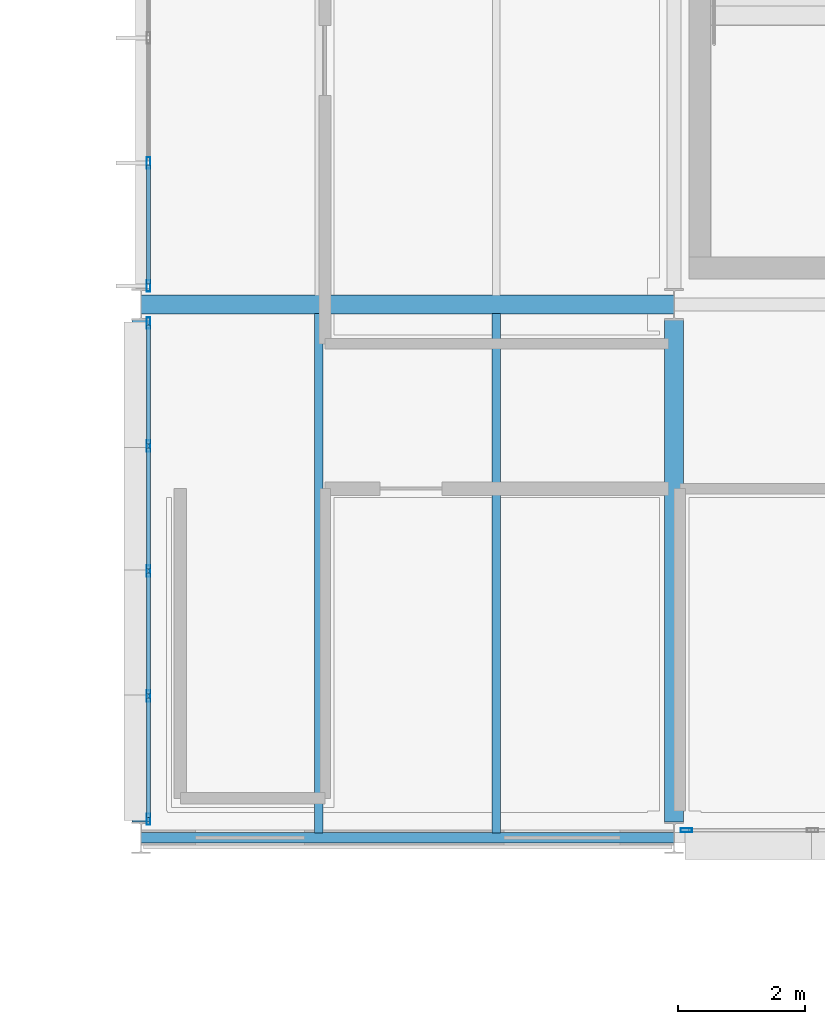
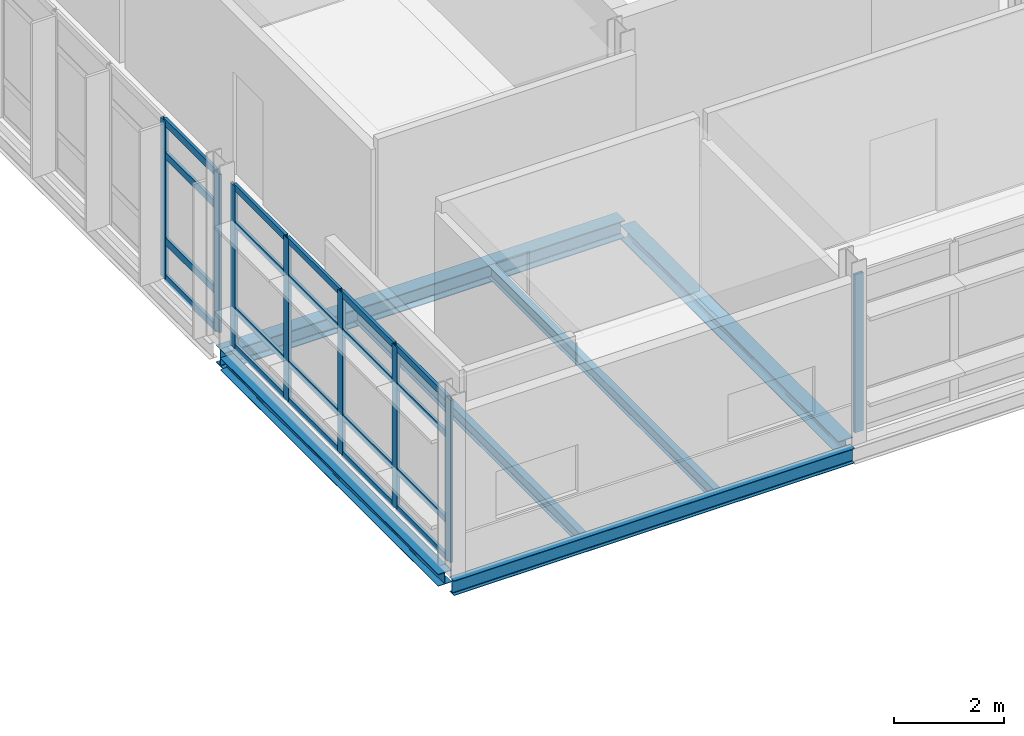
# One storey, part 89 of 131: 28 members, 6 beams, 3 elements without a shape of their own.
"""IFC4 building model written with IfcOpenShell, lengths in metres."""

import ifcopenshell
import ifcopenshell.guid

model = None  # the IFC model being written
_history = None  # IfcOwnerHistory: only IFC2X3 demands one
_inside = {}  # id of a spatial element -> (the spatial element, [elements in it])
_under = {}  # id of a project, library or spatial element -> (it, [spatial elements below it])
_declared = {}  # id of a project -> (the project, [libraries it declares])
_typed = {}  # id of a type object -> (the type object, [elements of that type])
_made_of = {}  # id of a material, layer set ... -> (it, [elements and type objects made of it])


def new_model(schema):
    """Start an empty IFC model of exactly this schema.

    Asked for "IFC4X3", IfcOpenShell would pick the latest addendum, in which some entities
    have other attributes; the version numbers below select the first issue.
    IFC2X3 requires an IfcOwnerHistory on every rooted entity: one is made here for all.
    """
    global model, _history
    if schema == "IFC4X3":
        model = ifcopenshell.file(schema_version=(4, 3, 0, 0))
    else:
        model = ifcopenshell.file(schema=schema)
    _inside.clear()
    _under.clear()
    _declared.clear()
    _typed.clear()
    _made_of.clear()
    _history = None
    if model.schema == "IFC2X3":
        org = make("IfcOrganization", Name="unknown")
        user = make(
            "IfcPersonAndOrganization",
            ThePerson=make("IfcPerson", FamilyName="unknown"),
            TheOrganization=org,
        )
        app = make(
            "IfcApplication",
            ApplicationDeveloper=org,
            Version="unknown",
            ApplicationFullName="unknown",
            ApplicationIdentifier="unknown",
        )
        _history = make(
            "IfcOwnerHistory",
            OwningUser=user,
            OwningApplication=app,
            ChangeAction="ADDED",
            CreationDate=0,
        )
    return model


def make(cls, **values):
    """One entity of the class cls with the attributes given. An attribute that is None is left unset."""
    return model.create_entity(
        cls, **{name: value for name, value in values.items() if value is not None}
    )


def rooted(cls, **values):
    """An entity with a GlobalId (a new one), such as an element, a storey or a relation."""
    return make(cls, GlobalId=ifcopenshell.guid.new(), OwnerHistory=_history, **values)


def si_unit(unit_type, name, prefix=None):
    """IfcSIUnit, for example si_unit("LENGTHUNIT", "METRE", prefix="MILLI")."""
    return make("IfcSIUnit", UnitType=unit_type, Prefix=prefix, Name=name)


def assignment(units):
    """IfcUnitAssignment: the units of a project."""
    return None if units is None else make("IfcUnitAssignment", Units=units)


def point(xyz):
    """IfcCartesianPoint."""
    return None if xyz is None else make("IfcCartesianPoint", Coordinates=xyz)


def direction(xyz):
    """IfcDirection."""
    return None if xyz is None else make("IfcDirection", DirectionRatios=xyz)


def frame(location, z_axis=None, x_axis=None):
    """IfcAxis2Placement3D, a coordinate frame: its origin and axes. An axis left out is left unset."""
    return make(
        "IfcAxis2Placement3D",
        Location=point(location),
        Axis=direction(z_axis),
        RefDirection=direction(x_axis),
    )


def frame_2d(location, x_axis=None):
    """IfcAxis2Placement2D, a coordinate frame in the plane: its origin and x axis."""
    return make(
        "IfcAxis2Placement2D", Location=point(location), RefDirection=direction(x_axis)
    )


def origin():
    """The frame at (0, 0, 0) with its axes left unset."""
    return frame((0.0, 0.0, 0.0))


def origin_2d():
    """The frame at (0, 0) in the plane with its x axis left unset."""
    return frame_2d((0.0, 0.0))


def place(relative_to, where):
    """IfcLocalPlacement: puts the frame where relative to a parent placement (None: the world)."""
    return make(
        "IfcLocalPlacement", PlacementRelTo=relative_to, RelativePlacement=where
    )


def context(
    kind, dimensions, precision=None, world=None, true_north=None, identifier=None
):
    """IfcGeometricRepresentationContext, for example the 3D "Model" context."""
    return make(
        "IfcGeometricRepresentationContext",
        ContextIdentifier=identifier,
        ContextType=kind,
        CoordinateSpaceDimension=dimensions,
        Precision=precision,
        WorldCoordinateSystem=world,
        TrueNorth=true_north,
    )


def subcontext(parent, identifier, kind, view, scale=None):
    """IfcGeometricRepresentationSubContext, for example "Body" below "Model"."""
    return make(
        "IfcGeometricRepresentationSubContext",
        ContextIdentifier=identifier,
        ContextType=kind,
        ParentContext=parent,
        TargetScale=scale,
        TargetView=view,
    )


def project(units=None, contexts=None):
    """IfcProject with its units and contexts."""
    return rooted(
        "IfcProject",
        Name="project",
        RepresentationContexts=contexts,
        UnitsInContext=assignment(units),
    )


def spatial(cls, under=None, at=None, **own):
    """A site, building, storey or space (cls), placed at a placement, below another one or the project."""
    s = rooted(cls, ObjectPlacement=at, **own)
    if under is not None:
        _under.setdefault(under.id(), (under, []))[1].append(s)
    return s


def profile(cls, at=None, kind="AREA", **sizes):
    """A parametric profile (cls). Its sizes go by their IFC names, for example OverallWidth=200.0."""
    return make(cls, ProfileType=kind, Position=at, **sizes)


def hollow_rectangle(**sizes):
    """IfcRectangleHollowProfileDef."""
    return profile("IfcRectangleHollowProfileDef", **sizes)


def i_section(**sizes):
    """IfcIShapeProfileDef."""
    return profile("IfcIShapeProfileDef", **sizes)


def extrude(swept, where, along, depth):
    """IfcExtrudedAreaSolid: the profile swept, set in the frame where, extruded along a direction by depth."""
    return make(
        "IfcExtrudedAreaSolid",
        SweptArea=swept,
        Position=where,
        ExtrudedDirection=direction(along),
        Depth=depth,
    )


def shape(context_of_items, identifier, shape_type, items):
    """IfcShapeRepresentation: the items that make up one representation, for example the "Body"."""
    return make(
        "IfcShapeRepresentation",
        ContextOfItems=context_of_items,
        RepresentationIdentifier=identifier,
        RepresentationType=shape_type,
        Items=items,
    )


def material(Name=None, Category=None):
    """IfcMaterial."""
    return make("IfcMaterial", Name=Name, Category=Category)


def material_profile(
    of_material, cross_section, Name=None, Category=None, Priority=None
):
    """IfcMaterialProfile: a cross section and its material."""
    return make(
        "IfcMaterialProfile",
        Name=Name,
        Material=of_material,
        Profile=cross_section,
        Priority=Priority,
        Category=Category,
    )


def profile_set(profiles, Name=None, composite=None):
    """IfcMaterialProfileSet."""
    return make(
        "IfcMaterialProfileSet",
        Name=Name,
        MaterialProfiles=profiles,
        CompositeProfile=composite,
    )


def made_of(thing, what):
    """Note that an element or type object is made of a material, layer set ...; save() writes the relation."""
    if what is not None:
        _made_of.setdefault(what.id(), (what, []))[1].append(thing)
    return thing


def type_object(cls, material=None, **own):
    """A type object (cls), such as IfcWallType, which elements share."""
    return made_of(rooted(cls, **own), material)


def element(
    cls,
    number,
    at=None,
    inside=None,
    cuts=None,
    type_object=None,
    material=None,
    context=None,
    identifier="Body",
    shape_type=None,
    held_by="IfcProductDefinitionShape",
    body=None,
    shapes=None,
    **own,
):
    """One element of the class cls, such as IfcWall. Its Tag is "e" and its number.

    at: its placement. inside: the storey or other place that contains it. cuts: it is an
    opening in that element (IfcRelVoidsElement). A single representation is given by context,
    identifier, shape_type and body (its items); several are given by shapes. held_by: the class
    of the entity that holds the representations. save() writes the other relations.
    """
    e = rooted(cls, Tag="e%d" % number, ObjectPlacement=at, **own)
    if body is not None:
        shapes = [shape(context, identifier, shape_type, body)]
    if shapes is not None:
        e.Representation = make(held_by, Representations=shapes)
    if inside is not None:
        _inside.setdefault(inside.id(), (inside, []))[1].append(e)
    if cuts is not None:
        rooted(
            "IfcRelVoidsElement", RelatingBuildingElement=cuts, RelatedOpeningElement=e
        )
    if type_object is not None:
        _typed.setdefault(type_object.id(), (type_object, []))[1].append(e)
    return made_of(e, material)


def aggregate(whole, parts):
    """IfcRelAggregates: a whole, such as a stair, and the parts it consists of."""
    return rooted("IfcRelAggregates", RelatingObject=whole, RelatedObjects=parts)


def save(model, path):
    """Write the relations noted so far, then the file.

    IfcRelAggregates (storeys below a building ...), IfcRelContainedInSpatialStructure (elements
    in a storey), IfcRelDefinesByType, IfcRelAssociatesMaterial and IfcRelDeclares: one each for
    every whole, place, type object, material and project.
    """
    for whole, parts in _under.values():
        aggregate(whole, parts)
    for where, things in _inside.values():
        rooted(
            "IfcRelContainedInSpatialStructure",
            RelatedElements=things,
            RelatingStructure=where,
        )
    for kind, things in _typed.values():
        rooted("IfcRelDefinesByType", RelatedObjects=things, RelatingType=kind)
    for what, things in _made_of.values():
        rooted("IfcRelAssociatesMaterial", RelatedObjects=things, RelatingMaterial=what)
    for by, libraries in _declared.values():
        rooted("IfcRelDeclares", RelatingContext=by, RelatedDefinitions=libraries)
    model.write(path)


model = new_model("IFC4")

# Units and contexts
model_context = context("Model", 3, precision=1e-05, world=origin(), true_north=direction((0.0, 1.0)))
body_context = subcontext(model_context, "Body", "Model", "MODEL_VIEW")
ifc_project = project(units=[si_unit("LENGTHUNIT", "METRE"), si_unit("AREAUNIT", "SQUARE_METRE"), si_unit("VOLUMEUNIT", "CUBIC_METRE"), si_unit("PLANEANGLEUNIT", "RADIAN"), si_unit("MASSUNIT", "GRAM", prefix="KILO")], contexts=[model_context])

# Site, building, storey
site_placement = place(None, origin())
site = spatial("IfcSite", under=ifc_project, at=site_placement, CompositionType="ELEMENT")
building_placement = place(site_placement, origin())
building = spatial("IfcBuilding", under=site, at=building_placement, Name="Mersafa Astral City Hall", CompositionType="ELEMENT")
storey_placement = place(building_placement, frame((0.0, 0.0, 13.949951171875)))
storey = spatial("IfcBuildingStorey", under=building, at=storey_placement, Name="L03", CompositionType="ELEMENT", Elevation=13.949951171875)

# Curtain wall, members
ifc_material_1 = material(Name="Anodised bronze aluminium framing", Category="aluminium")
curtain_wall_type_1 = type_object("IfcCurtainWallType", Name="ENV-CW-5", PredefinedType="USERDEFINED", material=ifc_material_1)
curtain_wall_1_placement = place(storey_placement, origin())
curtain_wall_1 = element("IfcCurtainWall", 1, at=curtain_wall_1_placement, inside=storey, type_object=curtain_wall_type_1, Name="L03 Unitised solar curtain wall 160", ObjectType="UNITISED CURTAIN WALL", PredefinedType="USERDEFINED")
ifc_material_profile_1 = material_profile(ifc_material_1, hollow_rectangle(XDim=0.06005859375, YDim=0.179931640625, WallThickness=0.00390625, at=origin_2d()), Name="RHS 60x180x4")
ifc_profile_set_1 = profile_set([ifc_material_profile_1], Name="Anodised bronze aluminium framing")
member_type_1 = type_object("IfcMemberType", Name="ENV-CW-MUL-1", PredefinedType="MULLION", material=ifc_profile_set_1)
member_1_placement = place(storey_placement, frame((142.919921875, 111.430908203125, -0.001953125), z_axis=(0.0, 0.0, 1.0), x_axis=(1.0, 0.0, 0.0)))
member_1 = element("IfcMember", 2, at=member_1_placement, type_object=member_type_1, Name="CW-5 mullion 4", PredefinedType="MULLION", context=body_context, shape_type="SweptSolid", body=[
    extrude(hollow_rectangle(XDim=0.06005859375, YDim=0.179931640625, WallThickness=0.00390625, at=origin_2d()), origin(), (0.0, 0.0, 1.0), 3.50390625),
])
member_2_placement = place(storey_placement, frame((142.919921875, 109.491943359375, -0.001953125), z_axis=(0.0, 0.0, 1.0), x_axis=(1.0, 0.0, 0.0)))
member_2 = element("IfcMember", 3, at=member_2_placement, type_object=member_type_1, Name="CW-5 mullion 5", PredefinedType="MULLION", context=body_context, shape_type="SweptSolid", body=[
    extrude(hollow_rectangle(XDim=0.06005859375, YDim=0.179931640625, WallThickness=0.00390625, at=origin_2d()), origin(), (0.0, 0.0, 1.0), 3.50390625),
])

curtain_wall_type_2 = type_object("IfcCurtainWallType", Name="ENV-CW-6", PredefinedType="USERDEFINED", material=ifc_material_1)
curtain_wall_2_placement = place(storey_placement, origin())
curtain_wall_2 = element("IfcCurtainWall", 4, at=curtain_wall_2_placement, inside=storey, type_object=curtain_wall_type_2, Name="L03 Unitised solar curtain wall 161", ObjectType="UNITISED CURTAIN WALL", PredefinedType="USERDEFINED")
member_3_placement = place(storey_placement, frame((142.919921875, 108.907958984375, -0.001953125), z_axis=(0.0, 0.0, 1.0), x_axis=(1.0, 0.0, 0.0)))
member_3 = element("IfcMember", 5, at=member_3_placement, type_object=member_type_1, Name="CW-6 mullion 1", PredefinedType="MULLION", context=body_context, shape_type="SweptSolid", body=[
    extrude(hollow_rectangle(XDim=0.06005859375, YDim=0.179931640625, WallThickness=0.00390625, at=origin_2d()), origin(), (0.0, 0.0, 1.0), 3.593994140625),
])
member_4_placement = place(storey_placement, frame((142.919921875, 106.968994140625, -0.001953125), z_axis=(0.0, 0.0, 1.0), x_axis=(1.0, 0.0, 0.0)))
member_4 = element("IfcMember", 6, at=member_4_placement, type_object=member_type_1, Name="CW-6 mullion 2", PredefinedType="MULLION", context=body_context, shape_type="SweptSolid", body=[
    extrude(hollow_rectangle(XDim=0.06005859375, YDim=0.179931640625, WallThickness=0.00390625, at=origin_2d()), origin(), (0.0, 0.0, 1.0), 3.593994140625),
])
member_5_placement = place(storey_placement, frame((142.919921875, 105.0, -0.001953125), z_axis=(0.0, 0.0, 1.0), x_axis=(1.0, 0.0, 0.0)))
member_5 = element("IfcMember", 7, at=member_5_placement, type_object=member_type_1, Name="CW-6 mullion 3", PredefinedType="MULLION", context=body_context, shape_type="SweptSolid", body=[
    extrude(hollow_rectangle(XDim=0.06005859375, YDim=0.179931640625, WallThickness=0.00390625, at=origin_2d()), origin(), (0.0, 0.0, 1.0), 3.593994140625),
])
member_6_placement = place(storey_placement, frame((142.919921875, 103.031005859375, -0.001953125), z_axis=(0.0, 0.0, 1.0), x_axis=(1.0, 0.0, 0.0)))
member_6 = element("IfcMember", 8, at=member_6_placement, type_object=member_type_1, Name="CW-6 mullion 4", PredefinedType="MULLION", context=body_context, shape_type="SweptSolid", body=[
    extrude(hollow_rectangle(XDim=0.06005859375, YDim=0.179931640625, WallThickness=0.00390625, at=origin_2d()), origin(), (0.0, 0.0, 1.0), 3.593994140625),
])
member_7_placement = place(storey_placement, frame((142.919921875, 101.092041015625, -0.001953125), z_axis=(0.0, 0.0, 1.0), x_axis=(1.0, 0.0, 0.0)))
member_7 = element("IfcMember", 9, at=member_7_placement, type_object=member_type_1, Name="CW-6 mullion 5", PredefinedType="MULLION", context=body_context, shape_type="SweptSolid", body=[
    extrude(hollow_rectangle(XDim=0.06005859375, YDim=0.179931640625, WallThickness=0.00390625, at=origin_2d()), origin(), (0.0, 0.0, 1.0), 3.593994140625),
])

# Curtain wall, member
curtain_wall_type_3 = type_object("IfcCurtainWallType", Name="ENV-CW-1", PredefinedType="USERDEFINED", material=ifc_material_1)
curtain_wall_3_placement = place(storey_placement, origin())
curtain_wall_3 = element("IfcCurtainWall", 10, at=curtain_wall_3_placement, inside=storey, type_object=curtain_wall_type_3, Name="L03 Unitised solar curtain wall 162", ObjectType="UNITISED CURTAIN WALL", PredefinedType="USERDEFINED")
member_8_placement = place(storey_placement, frame((151.39208984375, 100.919921875, -0.001953125), z_axis=(0.0, 0.0, 1.0), x_axis=(0.0, 1.0, 0.0)))
member_8 = element("IfcMember", 11, at=member_8_placement, type_object=member_type_1, Name="CW-1 mullion 1", PredefinedType="MULLION", context=body_context, shape_type="SweptSolid", body=[
    extrude(hollow_rectangle(XDim=0.06005859375, YDim=0.179931640625, WallThickness=0.00390625, at=origin_2d()), origin(), (0.0, 0.0, 1.0), 3.50390625),
])
aggregate(curtain_wall_3, [member_8])

# Member
ifc_material_profile_2 = material_profile(ifc_material_1, hollow_rectangle(XDim=0.06005859375, YDim=0.139892578125, WallThickness=0.00390625, at=origin_2d()), Name="RHS 60x140x4")
ifc_profile_set_2 = profile_set([ifc_material_profile_2], Name="Anodised bronze aluminium framing")
member_type_2 = type_object("IfcMemberType", Name="ENV-CW-TRN-1", PredefinedType="USERDEFINED", material=ifc_profile_set_2)
member_9_placement = place(storey_placement, frame((142.919921875, 108.8779296875, 0.028076171875), z_axis=(0.0, -1.0, 0.0), x_axis=(1.0, 0.0, 0.0)))
member_9 = element("IfcMember", 12, at=member_9_placement, type_object=member_type_2, Name="CW-6 transom 1.1", ObjectType="TRANSOM", PredefinedType="USERDEFINED", context=body_context, shape_type="SweptSolid", body=[
    extrude(hollow_rectangle(XDim=0.06005859375, YDim=0.139892578125, WallThickness=0.00390625, at=origin_2d()), origin(), (0.0, 0.0, 1.0), 1.87890625),
])

member_10_placement = place(storey_placement, frame((142.919921875, 108.8779296875, 0.85009765625), z_axis=(0.0, -1.0, 0.0), x_axis=(1.0, 0.0, 0.0)))
member_10 = element("IfcMember", 13, at=member_10_placement, type_object=member_type_2, Name="CW-6 transom 1.2", ObjectType="TRANSOM", PredefinedType="USERDEFINED", context=body_context, shape_type="SweptSolid", body=[
    extrude(hollow_rectangle(XDim=0.06005859375, YDim=0.139892578125, WallThickness=0.00390625, at=origin_2d()), origin(), (0.0, 0.0, 1.0), 1.87890625),
])

member_11_placement = place(storey_placement, frame((142.919921875, 108.8779296875, 2.75), z_axis=(0.0, -1.0, 0.0), x_axis=(1.0, 0.0, 0.0)))
member_11 = element("IfcMember", 14, at=member_11_placement, type_object=member_type_2, Name="CW-6 transom 1.3", ObjectType="TRANSOM", PredefinedType="USERDEFINED", context=body_context, shape_type="SweptSolid", body=[
    extrude(hollow_rectangle(XDim=0.06005859375, YDim=0.139892578125, WallThickness=0.00390625, at=origin_2d()), origin(), (0.0, 0.0, 1.0), 1.87890625),
])

member_12_placement = place(storey_placement, frame((142.919921875, 108.8779296875, 3.56201171875), z_axis=(0.0, -1.0, 0.0), x_axis=(1.0, 0.0, 0.0)))
member_12 = element("IfcMember", 15, at=member_12_placement, type_object=member_type_2, Name="CW-6 transom 1.4", ObjectType="TRANSOM", PredefinedType="USERDEFINED", context=body_context, shape_type="SweptSolid", body=[
    extrude(hollow_rectangle(XDim=0.06005859375, YDim=0.139892578125, WallThickness=0.00390625, at=origin_2d()), origin(), (0.0, 0.0, 1.0), 1.87890625),
])

member_13_placement = place(storey_placement, frame((142.919921875, 106.93896484375, 0.028076171875), z_axis=(0.0, -1.0, 0.0), x_axis=(1.0, 0.0, 0.0)))
member_13 = element("IfcMember", 16, at=member_13_placement, type_object=member_type_2, Name="CW-6 transom 2.1", ObjectType="TRANSOM", PredefinedType="USERDEFINED", context=body_context, shape_type="SweptSolid", body=[
    extrude(hollow_rectangle(XDim=0.06005859375, YDim=0.139892578125, WallThickness=0.00390625, at=origin_2d()), origin(), (0.0, 0.0, 1.0), 1.908935546875),
])

member_14_placement = place(storey_placement, frame((142.919921875, 106.93896484375, 0.85009765625), z_axis=(0.0, -1.0, 0.0), x_axis=(1.0, 0.0, 0.0)))
member_14 = element("IfcMember", 17, at=member_14_placement, type_object=member_type_2, Name="CW-6 transom 2.2", ObjectType="TRANSOM", PredefinedType="USERDEFINED", context=body_context, shape_type="SweptSolid", body=[
    extrude(hollow_rectangle(XDim=0.06005859375, YDim=0.139892578125, WallThickness=0.00390625, at=origin_2d()), origin(), (0.0, 0.0, 1.0), 1.908935546875),
])

member_15_placement = place(storey_placement, frame((142.919921875, 106.93896484375, 2.75), z_axis=(0.0, -1.0, 0.0), x_axis=(1.0, 0.0, 0.0)))
member_15 = element("IfcMember", 18, at=member_15_placement, type_object=member_type_2, Name="CW-6 transom 2.3", ObjectType="TRANSOM", PredefinedType="USERDEFINED", context=body_context, shape_type="SweptSolid", body=[
    extrude(hollow_rectangle(XDim=0.06005859375, YDim=0.139892578125, WallThickness=0.00390625, at=origin_2d()), origin(), (0.0, 0.0, 1.0), 1.908935546875),
])

member_16_placement = place(storey_placement, frame((142.919921875, 106.93896484375, 3.56201171875), z_axis=(0.0, -1.0, 0.0), x_axis=(1.0, 0.0, 0.0)))
member_16 = element("IfcMember", 19, at=member_16_placement, type_object=member_type_2, Name="CW-6 transom 2.4", ObjectType="TRANSOM", PredefinedType="USERDEFINED", context=body_context, shape_type="SweptSolid", body=[
    extrude(hollow_rectangle(XDim=0.06005859375, YDim=0.139892578125, WallThickness=0.00390625, at=origin_2d()), origin(), (0.0, 0.0, 1.0), 1.908935546875),
])

member_17_placement = place(storey_placement, frame((142.919921875, 104.969970703125, 0.028076171875), z_axis=(0.0, -1.0, 0.0), x_axis=(1.0, 0.0, 0.0)))
member_17 = element("IfcMember", 20, at=member_17_placement, type_object=member_type_2, Name="CW-6 transom 3.1", ObjectType="TRANSOM", PredefinedType="USERDEFINED", context=body_context, shape_type="SweptSolid", body=[
    extrude(hollow_rectangle(XDim=0.06005859375, YDim=0.139892578125, WallThickness=0.00390625, at=origin_2d()), origin(), (0.0, 0.0, 1.0), 1.908935546875),
])

member_18_placement = place(storey_placement, frame((142.919921875, 104.969970703125, 0.85009765625), z_axis=(0.0, -1.0, 0.0), x_axis=(1.0, 0.0, 0.0)))
member_18 = element("IfcMember", 21, at=member_18_placement, type_object=member_type_2, Name="CW-6 transom 3.2", ObjectType="TRANSOM", PredefinedType="USERDEFINED", context=body_context, shape_type="SweptSolid", body=[
    extrude(hollow_rectangle(XDim=0.06005859375, YDim=0.139892578125, WallThickness=0.00390625, at=origin_2d()), origin(), (0.0, 0.0, 1.0), 1.908935546875),
])

member_19_placement = place(storey_placement, frame((142.919921875, 104.969970703125, 2.75), z_axis=(0.0, -1.0, 0.0), x_axis=(1.0, 0.0, 0.0)))
member_19 = element("IfcMember", 22, at=member_19_placement, type_object=member_type_2, Name="CW-6 transom 3.3", ObjectType="TRANSOM", PredefinedType="USERDEFINED", context=body_context, shape_type="SweptSolid", body=[
    extrude(hollow_rectangle(XDim=0.06005859375, YDim=0.139892578125, WallThickness=0.00390625, at=origin_2d()), origin(), (0.0, 0.0, 1.0), 1.908935546875),
])

member_20_placement = place(storey_placement, frame((142.919921875, 104.969970703125, 3.56201171875), z_axis=(0.0, -1.0, 0.0), x_axis=(1.0, 0.0, 0.0)))
member_20 = element("IfcMember", 23, at=member_20_placement, type_object=member_type_2, Name="CW-6 transom 3.4", ObjectType="TRANSOM", PredefinedType="USERDEFINED", context=body_context, shape_type="SweptSolid", body=[
    extrude(hollow_rectangle(XDim=0.06005859375, YDim=0.139892578125, WallThickness=0.00390625, at=origin_2d()), origin(), (0.0, 0.0, 1.0), 1.908935546875),
])

member_21_placement = place(storey_placement, frame((142.919921875, 103.0009765625, 0.028076171875), z_axis=(0.0, -1.0, 0.0), x_axis=(1.0, 0.0, 0.0)))
member_21 = element("IfcMember", 24, at=member_21_placement, type_object=member_type_2, Name="CW-6 transom 4.1", ObjectType="TRANSOM", PredefinedType="USERDEFINED", context=body_context, shape_type="SweptSolid", body=[
    extrude(hollow_rectangle(XDim=0.06005859375, YDim=0.139892578125, WallThickness=0.00390625, at=origin_2d()), origin(), (0.0, 0.0, 1.0), 1.87890625),
])

member_22_placement = place(storey_placement, frame((142.919921875, 103.0009765625, 0.85009765625), z_axis=(0.0, -1.0, 0.0), x_axis=(1.0, 0.0, 0.0)))
member_22 = element("IfcMember", 25, at=member_22_placement, type_object=member_type_2, Name="CW-6 transom 4.2", ObjectType="TRANSOM", PredefinedType="USERDEFINED", context=body_context, shape_type="SweptSolid", body=[
    extrude(hollow_rectangle(XDim=0.06005859375, YDim=0.139892578125, WallThickness=0.00390625, at=origin_2d()), origin(), (0.0, 0.0, 1.0), 1.87890625),
])

member_23_placement = place(storey_placement, frame((142.919921875, 103.0009765625, 2.75), z_axis=(0.0, -1.0, 0.0), x_axis=(1.0, 0.0, 0.0)))
member_23 = element("IfcMember", 26, at=member_23_placement, type_object=member_type_2, Name="CW-6 transom 4.3", ObjectType="TRANSOM", PredefinedType="USERDEFINED", context=body_context, shape_type="SweptSolid", body=[
    extrude(hollow_rectangle(XDim=0.06005859375, YDim=0.139892578125, WallThickness=0.00390625, at=origin_2d()), origin(), (0.0, 0.0, 1.0), 1.87890625),
])

member_24_placement = place(storey_placement, frame((142.919921875, 103.0009765625, 3.56201171875), z_axis=(0.0, -1.0, 0.0), x_axis=(1.0, 0.0, 0.0)))
member_24 = element("IfcMember", 27, at=member_24_placement, type_object=member_type_2, Name="CW-6 transom 4.4", ObjectType="TRANSOM", PredefinedType="USERDEFINED", context=body_context, shape_type="SweptSolid", body=[
    extrude(hollow_rectangle(XDim=0.06005859375, YDim=0.139892578125, WallThickness=0.00390625, at=origin_2d()), origin(), (0.0, 0.0, 1.0), 1.87890625),
])

aggregate(curtain_wall_2, [member_3, member_4, member_5, member_6, member_7, member_9, member_10, member_11, member_12, member_13, member_14, member_15, member_16, member_17, member_18, member_19, member_20, member_21, member_22, member_23, member_24])

ifc_material_profile_3 = material_profile(ifc_material_1, hollow_rectangle(XDim=0.06005859375, YDim=0.159912109375, WallThickness=0.00390625, at=origin_2d()), Name="RHS 60x160x4")
ifc_profile_set_3 = profile_set([ifc_material_profile_3], Name="Anodised bronze aluminium framing")
member_type_3 = type_object("IfcMemberType", Name="ENV-CW-TRN-2", PredefinedType="USERDEFINED", material=ifc_profile_set_3)
member_25_placement = place(storey_placement, frame((142.919921875, 111.40087890625, 0.028076171875), z_axis=(0.0, -1.0, 0.0), x_axis=(1.0, 0.0, 0.0)))
member_25 = element("IfcMember", 28, at=member_25_placement, type_object=member_type_3, Name="CW-5 transom 4.1", ObjectType="TRANSOM", PredefinedType="USERDEFINED", context=body_context, shape_type="SweptSolid", body=[
    extrude(hollow_rectangle(XDim=0.06005859375, YDim=0.159912109375, WallThickness=0.00390625, at=origin_2d()), origin(), (0.0, 0.0, 1.0), 1.87890625),
])

member_26_placement = place(storey_placement, frame((142.919921875, 111.40087890625, 0.85009765625), z_axis=(0.0, -1.0, 0.0), x_axis=(1.0, 0.0, 0.0)))
member_26 = element("IfcMember", 29, at=member_26_placement, type_object=member_type_3, Name="CW-5 transom 4.2", ObjectType="TRANSOM", PredefinedType="USERDEFINED", context=body_context, shape_type="SweptSolid", body=[
    extrude(hollow_rectangle(XDim=0.06005859375, YDim=0.159912109375, WallThickness=0.00390625, at=origin_2d()), origin(), (0.0, 0.0, 1.0), 1.87890625),
])

member_27_placement = place(storey_placement, frame((142.919921875, 111.40087890625, 2.75), z_axis=(0.0, -1.0, 0.0), x_axis=(1.0, 0.0, 0.0)))
member_27 = element("IfcMember", 30, at=member_27_placement, type_object=member_type_3, Name="CW-5 transom 4.3", ObjectType="TRANSOM", PredefinedType="USERDEFINED", context=body_context, shape_type="SweptSolid", body=[
    extrude(hollow_rectangle(XDim=0.06005859375, YDim=0.159912109375, WallThickness=0.00390625, at=origin_2d()), origin(), (0.0, 0.0, 1.0), 1.87890625),
])

member_28_placement = place(storey_placement, frame((142.919921875, 111.40087890625, 3.47216796875), z_axis=(0.0, -1.0, 0.0), x_axis=(1.0, 0.0, 0.0)))
member_28 = element("IfcMember", 31, at=member_28_placement, type_object=member_type_3, Name="CW-5 transom 4.4", ObjectType="TRANSOM", PredefinedType="USERDEFINED", context=body_context, shape_type="SweptSolid", body=[
    extrude(hollow_rectangle(XDim=0.06005859375, YDim=0.159912109375, WallThickness=0.00390625, at=origin_2d()), origin(), (0.0, 0.0, 1.0), 1.87890625),
])

aggregate(curtain_wall_1, [member_1, member_2, member_25, member_26, member_27, member_28])

# Beams
ifc_material_2 = material(Name="Steel S355", Category="steel")
ifc_material_profile_4 = material_profile(ifc_material_2, i_section(OverallWidth=0.300048828125, OverallDepth=0.31005859375, WebThickness=0.009033203125, FlangeThickness=0.015380859375, FilletRadius=0.027099609375, at=origin_2d()), Name="HEA 320")
ifc_profile_set_4 = profile_set([ifc_material_profile_4], Name="Steel S355")
beam_type_1 = type_object("IfcBeamType", Name="STR-BM-HEA320", PredefinedType="BEAM", material=ifc_profile_set_4)
beam_1_placement = place(storey_placement, frame((151.199951171875, 101.044921875, -0.35498046875), z_axis=(0.0, 1.0, 0.0), x_axis=(-1.0, 0.0, 0.0)))
element("IfcBeam", 32, at=beam_1_placement, inside=storey, type_object=beam_type_1, Name="L03 Primary girder Y 18-12", PredefinedType="BEAM", context=body_context, shape_type="SweptSolid", body=[
    extrude(i_section(OverallWidth=0.300048828125, OverallDepth=0.31005859375, WebThickness=0.009033203125, FlangeThickness=0.015380859375, FilletRadius=0.027099609375, at=origin_2d()), origin(), (0.0, 0.0, 1.0), 7.91015625),
])
ifc_material_profile_5 = material_profile(ifc_material_2, i_section(OverallWidth=0.300048828125, OverallDepth=0.389892578125, WebThickness=0.010986328125, FlangeThickness=0.01904296875, FilletRadius=0.027099609375, at=origin_2d()), Name="HEA 400")
ifc_profile_set_5 = profile_set([ifc_material_profile_5], Name="Steel S355")
beam_type_2 = type_object("IfcBeamType", Name="STR-BM-HEA400", PredefinedType="BEAM", material=ifc_profile_set_5)
beam_2_placement = place(storey_placement, frame((142.802978515625, 109.199951171875, -0.39501953125), z_axis=(1.0, 0.0, 0.0), x_axis=(0.0, 1.0, 0.0)))
element("IfcBeam", 33, at=beam_2_placement, inside=storey, type_object=beam_type_2, Name="L03 Primary girder X 17-13", PredefinedType="BEAM", context=body_context, shape_type="SweptSolid", body=[
    extrude(i_section(OverallWidth=0.300048828125, OverallDepth=0.389892578125, WebThickness=0.010986328125, FlangeThickness=0.01904296875, FilletRadius=0.027099609375, at=origin_2d()), origin(), (0.0, 0.0, 1.0), 8.39404296875),
])
ifc_material_profile_6 = material_profile(ifc_material_2, i_section(OverallWidth=0.135009765625, OverallDepth=0.27001953125, WebThickness=0.006591796875, FlangeThickness=0.01025390625, FilletRadius=0.014892578125, at=origin_2d()), Name="IPE 270")
ifc_profile_set_6 = profile_set([ifc_material_profile_6], Name="Steel S355")
beam_type_3 = type_object("IfcBeamType", Name="STR-BM-JOIST-IPE270", PredefinedType="JOIST", material=ifc_profile_set_6)
for number, where, z_axis, x_axis, name in (
    (34, (145.60009765625, 100.875, -0.3349609375), (0.0, 1.0, 0.0), (-1.0, 0.0, 0.0), "L03 Composite secondary floor joist 644"),
    (35, (148.39990234375, 100.875, -0.3349609375), (0.0, 1.0, 0.0), (-1.0, 0.0, 0.0), "L03 Composite secondary floor joist 645"),
):
    element("IfcBeam", number, at=place(storey_placement, frame(where, z_axis=z_axis, x_axis=x_axis)), inside=storey, type_object=beam_type_3, Name=name, PredefinedType="JOIST", context=body_context, shape_type="SweptSolid", body=[
        extrude(i_section(OverallWidth=0.135009765625, OverallDepth=0.27001953125, WebThickness=0.006591796875, FlangeThickness=0.01025390625, FilletRadius=0.014892578125, at=origin_2d()), origin(), (0.0, 0.0, 1.0), 8.179931640625),
    ])
ifc_material_profile_7 = material_profile(ifc_material_2, i_section(OverallWidth=0.280029296875, OverallDepth=0.27001953125, WebThickness=0.008056640625, FlangeThickness=0.012939453125, FilletRadius=0.02392578125, at=origin_2d()), Name="HEA 280")
ifc_profile_set_7 = profile_set([ifc_material_profile_7], Name="Steel S355")
beam_type_4 = type_object("IfcBeamType", Name="STR-BM-SPANDREL-HEA280", PredefinedType="SPANDREL", material=ifc_profile_set_7)
beam_3_placement = place(storey_placement, frame((142.800048828125, 101.044921875, -0.3349609375), z_axis=(0.0, 1.0, 0.0), x_axis=(-1.0, 0.0, 0.0)))
element("IfcBeam", 36, at=beam_3_placement, inside=storey, type_object=beam_type_4, Name="L03 Primary girder Y 17-12", PredefinedType="SPANDREL", context=body_context, shape_type="SweptSolid", body=[
    extrude(i_section(OverallWidth=0.280029296875, OverallDepth=0.27001953125, WebThickness=0.008056640625, FlangeThickness=0.012939453125, FilletRadius=0.02392578125, at=origin_2d()), origin(), (0.0, 0.0, 1.0), 7.91015625),
])
ifc_material_profile_8 = material_profile(ifc_material_2, i_section(OverallWidth=0.159912109375, OverallDepth=0.330078125, WebThickness=0.007568359375, FlangeThickness=0.011474609375, FilletRadius=0.01806640625, at=origin_2d()), Name="IPE 330")
ifc_profile_set_8 = profile_set([ifc_material_profile_8], Name="Steel S355")
beam_type_5 = type_object("IfcBeamType", Name="STR-BM-SPANDREL-IPE330", PredefinedType="SPANDREL", material=ifc_profile_set_8)
beam_4_placement = place(storey_placement, frame((142.802978515625, 100.800048828125, -0.364990234375), z_axis=(1.0, 0.0, 0.0), x_axis=(0.0, 1.0, 0.0)))
element("IfcBeam", 37, at=beam_4_placement, inside=storey, type_object=beam_type_5, Name="L03 Primary girder X 17-12", PredefinedType="SPANDREL", context=body_context, shape_type="SweptSolid", body=[
    extrude(i_section(OverallWidth=0.159912109375, OverallDepth=0.330078125, WebThickness=0.007568359375, FlangeThickness=0.011474609375, FilletRadius=0.01806640625, at=origin_2d()), origin(), (0.0, 0.0, 1.0), 8.39404296875),
])

save(model, "model.ifc")
